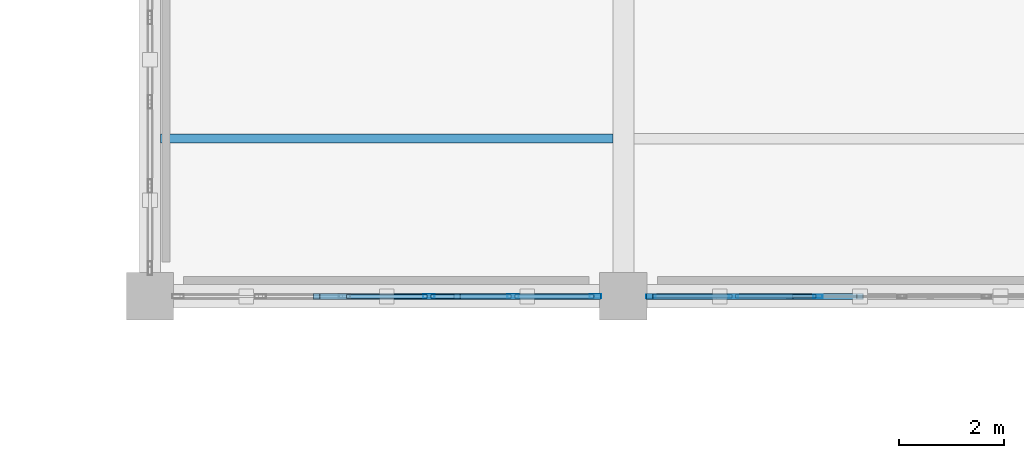
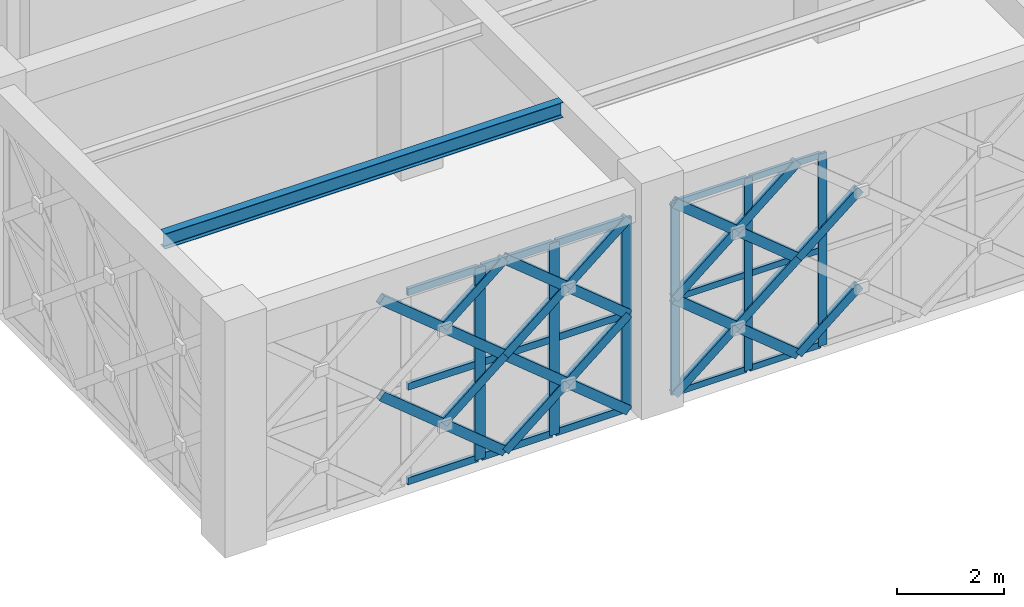
# One storey, part 46 of 166: 39 members, 1 beam, 2 elements without a shape of their own.
"""IFC4 building model written with IfcOpenShell, lengths in metres."""

from ifc_helpers import new_model, si_unit, direction, frame, origin, origin_2d, place, context, subcontext, project, spatial, hollow_rectangle, i_section, extrude, material, material_profile, profile_set, type_object, element, aggregate, save


model = new_model("IFC4")

# Units and contexts
model_context = context("Model", 3, precision=1e-05, world=origin(), true_north=direction((0.0, 1.0)))
body_context = subcontext(model_context, "Body", "Model", "MODEL_VIEW")
ifc_project = project(units=[si_unit("LENGTHUNIT", "METRE"), si_unit("AREAUNIT", "SQUARE_METRE"), si_unit("VOLUMEUNIT", "CUBIC_METRE"), si_unit("PLANEANGLEUNIT", "RADIAN"), si_unit("MASSUNIT", "GRAM", prefix="KILO")], contexts=[model_context])

# Site, building, storey
site_placement = place(None, origin())
site = spatial("IfcSite", under=ifc_project, at=site_placement, CompositionType="ELEMENT")
building_placement = place(site_placement, origin())
building = spatial("IfcBuilding", under=site, at=building_placement, Name="Haizhuo Lancet Aquarium", CompositionType="ELEMENT")
storey_placement = place(building_placement, frame((0.0, 0.0, 5.39990234375)))
storey = spatial("IfcBuildingStorey", under=building, at=storey_placement, Name="L01", CompositionType="ELEMENT", Elevation=5.39990234375)

# Curtain wall, members
ifc_material_1 = material(Name="Aluminium 6063-T6", Category="aluminium")
curtain_wall_type = type_object("IfcCurtainWallType", Name="CWO-8010x4390", PredefinedType="NOTDEFINED", material=ifc_material_1)
curtain_wall_1_placement = place(storey_placement, origin())
curtain_wall_1 = element("IfcCurtainWall", 1, at=curtain_wall_1_placement, inside=storey, type_object=curtain_wall_type, Name="L01 curtain wall CW-V3-L01-046", PredefinedType="NOTDEFINED")
ifc_material_profile_1 = material_profile(ifc_material_1, hollow_rectangle(XDim=0.06494140625, YDim=0.179931640625, WallThickness=0.00390625, at=origin_2d()), Name="ALU-M 65x180x4")
ifc_profile_set_1 = profile_set([ifc_material_profile_1], Name="Aluminium 6063-T6")
member_type_1 = type_object("IfcMemberType", Name="CW-MUL-1", PredefinedType="MULLION", material=ifc_profile_set_1)
member_1_placement = place(storey_placement, frame((39.698974609375, -36.0, 0.0), z_axis=(0.0, 0.0, 1.0), x_axis=(0.0, -1.0, 0.0)))
member_1 = element("IfcMember", 2, at=member_1_placement, type_object=member_type_1, Name="CWO-80x43 mullion 4", PredefinedType="MULLION", context=body_context, shape_type="SweptSolid", body=[
    extrude(hollow_rectangle(XDim=0.06494140625, YDim=0.179931640625, WallThickness=0.00390625, at=origin_2d()), origin(), (0.0, 0.0, 1.0), 4.39013671875),
])
member_2_placement = place(storey_placement, frame((38.096923828125, -36.0, 0.0), z_axis=(0.0, 0.0, 1.0), x_axis=(0.0, -1.0, 0.0)))
member_2 = element("IfcMember", 3, at=member_2_placement, type_object=member_type_1, Name="CWO-80x43 mullion 5", PredefinedType="MULLION", context=body_context, shape_type="SweptSolid", body=[
    extrude(hollow_rectangle(XDim=0.06494140625, YDim=0.179931640625, WallThickness=0.00390625, at=origin_2d()), origin(), (0.0, 0.0, 1.0), 4.39013671875),
])
member_3_placement = place(storey_placement, frame((36.527099609375, -36.0, 0.0), z_axis=(0.0, 0.0, 1.0), x_axis=(0.0, -1.0, 0.0)))
member_3 = element("IfcMember", 4, at=member_3_placement, type_object=member_type_1, Name="CWO-80x43 mullion 6", PredefinedType="MULLION", context=body_context, shape_type="SweptSolid", body=[
    extrude(hollow_rectangle(XDim=0.06494140625, YDim=0.179931640625, WallThickness=0.00390625, at=origin_2d()), origin(), (0.0, 0.0, 1.0), 4.39013671875),
])

curtain_wall_2_placement = place(storey_placement, origin())
curtain_wall_2 = element("IfcCurtainWall", 5, at=curtain_wall_2_placement, inside=storey, type_object=curtain_wall_type, Name="L01 curtain wall CW-V3-L01-047", PredefinedType="NOTDEFINED")
ifc_material_profile_2 = material_profile(ifc_material_1, hollow_rectangle(XDim=0.074951171875, YDim=0.219970703125, WallThickness=0.0048828125, at=origin_2d()), Name="ALU-M 75x220x5")
ifc_profile_set_2 = profile_set([ifc_material_profile_2], Name="Aluminium 6063-T6")
member_type_2 = type_object("IfcMemberType", Name="CW-MUL-2", PredefinedType="MULLION", material=ifc_profile_set_2)
member_4_placement = place(storey_placement, frame((35.468017578125, -36.0, 0.0), z_axis=(0.0, 0.0, 1.0), x_axis=(0.0, -1.0, 0.0)))
member_4 = element("IfcMember", 6, at=member_4_placement, type_object=member_type_2, Name="CWO-80x43 mullion 1", PredefinedType="MULLION", context=body_context, shape_type="SweptSolid", body=[
    extrude(hollow_rectangle(XDim=0.074951171875, YDim=0.219970703125, WallThickness=0.0048828125, at=origin_2d()), origin(), (0.0, 0.0, 1.0), 4.39013671875),
])
member_5_placement = place(storey_placement, frame((33.903076171875, -36.0, 0.0), z_axis=(0.0, 0.0, 1.0), x_axis=(0.0, -1.0, 0.0)))
member_5 = element("IfcMember", 7, at=member_5_placement, type_object=member_type_2, Name="CWO-80x43 mullion 2", PredefinedType="MULLION", context=body_context, shape_type="SweptSolid", body=[
    extrude(hollow_rectangle(XDim=0.074951171875, YDim=0.219970703125, WallThickness=0.0048828125, at=origin_2d()), origin(), (0.0, 0.0, 1.0), 4.39013671875),
])
member_6_placement = place(storey_placement, frame((32.301025390625, -36.0, 0.0), z_axis=(0.0, 0.0, 1.0), x_axis=(0.0, -1.0, 0.0)))
member_6 = element("IfcMember", 8, at=member_6_placement, type_object=member_type_2, Name="CWO-80x43 mullion 3", PredefinedType="MULLION", context=body_context, shape_type="SweptSolid", body=[
    extrude(hollow_rectangle(XDim=0.074951171875, YDim=0.219970703125, WallThickness=0.0048828125, at=origin_2d()), origin(), (0.0, 0.0, 1.0), 4.39013671875),
])

# Member
ifc_material_profile_3 = material_profile(ifc_material_1, hollow_rectangle(XDim=0.06494140625, YDim=0.139892578125, WallThickness=0.00390625, at=origin_2d()), Name="ALU-T 65x140x4")
ifc_profile_set_3 = profile_set([ifc_material_profile_3], Name="Aluminium 6063-T6")
member_type_3 = type_object("IfcMemberType", Name="CW-TRN-1", PredefinedType="NOTDEFINED", material=ifc_profile_set_3)
member_7_placement = place(storey_placement, frame((39.666015625, -36.0, 0.033203125), z_axis=(-1.0, 0.0, 0.0), x_axis=(0.0, -1.0, 0.0)))
member_7 = element("IfcMember", 9, at=member_7_placement, type_object=member_type_3, Name="CWO-80x43 transom 4.1", ObjectType="TRANSOM", PredefinedType="USERDEFINED", context=body_context, shape_type="SweptSolid", body=[
    extrude(hollow_rectangle(XDim=0.06494140625, YDim=0.139892578125, WallThickness=0.00390625, at=origin_2d()), origin(), (0.0, 0.0, 1.0), 1.5361328125),
])

member_8_placement = place(storey_placement, frame((39.666015625, -36.0, 2.195068359375), z_axis=(-1.0, 0.0, 0.0), x_axis=(0.0, -1.0, 0.0)))
member_8 = element("IfcMember", 10, at=member_8_placement, type_object=member_type_3, Name="CWO-80x43 transom 4.2", ObjectType="TRANSOM", PredefinedType="USERDEFINED", context=body_context, shape_type="SweptSolid", body=[
    extrude(hollow_rectangle(XDim=0.06494140625, YDim=0.139892578125, WallThickness=0.00390625, at=origin_2d()), origin(), (0.0, 0.0, 1.0), 1.5361328125),
])

member_9_placement = place(storey_placement, frame((39.666015625, -36.0, 4.357177734375), z_axis=(-1.0, 0.0, 0.0), x_axis=(0.0, -1.0, 0.0)))
member_9 = element("IfcMember", 11, at=member_9_placement, type_object=member_type_3, Name="CWO-80x43 transom 4.3", ObjectType="TRANSOM", PredefinedType="USERDEFINED", context=body_context, shape_type="SweptSolid", body=[
    extrude(hollow_rectangle(XDim=0.06494140625, YDim=0.139892578125, WallThickness=0.00390625, at=origin_2d()), origin(), (0.0, 0.0, 1.0), 1.5361328125),
])

member_10_placement = place(storey_placement, frame((38.06396484375, -36.0, 0.033203125), z_axis=(-1.0, 0.0, 0.0), x_axis=(0.0, -1.0, 0.0)))
member_10 = element("IfcMember", 12, at=member_10_placement, type_object=member_type_3, Name="CWO-80x43 transom 5.1", ObjectType="TRANSOM", PredefinedType="USERDEFINED", context=body_context, shape_type="SweptSolid", body=[
    extrude(hollow_rectangle(XDim=0.06494140625, YDim=0.139892578125, WallThickness=0.00390625, at=origin_2d()), origin(), (0.0, 0.0, 1.0), 1.50390625),
])

member_11_placement = place(storey_placement, frame((38.06396484375, -36.0, 2.195068359375), z_axis=(-1.0, 0.0, 0.0), x_axis=(0.0, -1.0, 0.0)))
member_11 = element("IfcMember", 13, at=member_11_placement, type_object=member_type_3, Name="CWO-80x43 transom 5.2", ObjectType="TRANSOM", PredefinedType="USERDEFINED", context=body_context, shape_type="SweptSolid", body=[
    extrude(hollow_rectangle(XDim=0.06494140625, YDim=0.139892578125, WallThickness=0.00390625, at=origin_2d()), origin(), (0.0, 0.0, 1.0), 1.50390625),
])

member_12_placement = place(storey_placement, frame((38.06396484375, -36.0, 4.357177734375), z_axis=(-1.0, 0.0, 0.0), x_axis=(0.0, -1.0, 0.0)))
member_12 = element("IfcMember", 14, at=member_12_placement, type_object=member_type_3, Name="CWO-80x43 transom 5.3", ObjectType="TRANSOM", PredefinedType="USERDEFINED", context=body_context, shape_type="SweptSolid", body=[
    extrude(hollow_rectangle(XDim=0.06494140625, YDim=0.139892578125, WallThickness=0.00390625, at=origin_2d()), origin(), (0.0, 0.0, 1.0), 1.50390625),
])

aggregate(curtain_wall_1, [member_1, member_2, member_3, member_7, member_8, member_9, member_10, member_11, member_12])

ifc_material_profile_4 = material_profile(ifc_material_1, hollow_rectangle(XDim=0.074951171875, YDim=0.159912109375, WallThickness=0.00390625, at=origin_2d()), Name="ALU-T 75x160x4")
ifc_profile_set_4 = profile_set([ifc_material_profile_4], Name="Aluminium 6063-T6")
member_type_4 = type_object("IfcMemberType", Name="CW-TRN-2", PredefinedType="NOTDEFINED", material=ifc_profile_set_4)
member_13_placement = place(storey_placement, frame((35.429931640625, -36.0, 0.0380859375), z_axis=(-1.0, 0.0, 0.0), x_axis=(0.0, -1.0, 0.0)))
member_13 = element("IfcMember", 15, at=member_13_placement, type_object=member_type_4, Name="CWO-80x43 transom 1.1", ObjectType="TRANSOM", PredefinedType="USERDEFINED", context=body_context, shape_type="SweptSolid", body=[
    extrude(hollow_rectangle(XDim=0.074951171875, YDim=0.159912109375, WallThickness=0.00390625, at=origin_2d()), origin(), (0.0, 0.0, 1.0), 1.489013671875),
])

member_14_placement = place(storey_placement, frame((35.429931640625, -36.0, 2.195068359375), z_axis=(-1.0, 0.0, 0.0), x_axis=(0.0, -1.0, 0.0)))
member_14 = element("IfcMember", 16, at=member_14_placement, type_object=member_type_4, Name="CWO-80x43 transom 1.2", ObjectType="TRANSOM", PredefinedType="USERDEFINED", context=body_context, shape_type="SweptSolid", body=[
    extrude(hollow_rectangle(XDim=0.074951171875, YDim=0.159912109375, WallThickness=0.00390625, at=origin_2d()), origin(), (0.0, 0.0, 1.0), 1.489013671875),
])

member_15_placement = place(storey_placement, frame((35.429931640625, -36.0, 4.35205078125), z_axis=(-1.0, 0.0, 0.0), x_axis=(0.0, -1.0, 0.0)))
member_15 = element("IfcMember", 17, at=member_15_placement, type_object=member_type_4, Name="CWO-80x43 transom 1.3", ObjectType="TRANSOM", PredefinedType="USERDEFINED", context=body_context, shape_type="SweptSolid", body=[
    extrude(hollow_rectangle(XDim=0.074951171875, YDim=0.159912109375, WallThickness=0.00390625, at=origin_2d()), origin(), (0.0, 0.0, 1.0), 1.489013671875),
])

member_16_placement = place(storey_placement, frame((33.865966796875, -36.0, 0.0380859375), z_axis=(-1.0, 0.0, 0.0), x_axis=(0.0, -1.0, 0.0)))
member_16 = element("IfcMember", 18, at=member_16_placement, type_object=member_type_4, Name="CWO-80x43 transom 2.1", ObjectType="TRANSOM", PredefinedType="USERDEFINED", context=body_context, shape_type="SweptSolid", body=[
    extrude(hollow_rectangle(XDim=0.074951171875, YDim=0.159912109375, WallThickness=0.00390625, at=origin_2d()), origin(), (0.0, 0.0, 1.0), 1.52685546875),
])

member_17_placement = place(storey_placement, frame((33.865966796875, -36.0, 2.195068359375), z_axis=(-1.0, 0.0, 0.0), x_axis=(0.0, -1.0, 0.0)))
member_17 = element("IfcMember", 19, at=member_17_placement, type_object=member_type_4, Name="CWO-80x43 transom 2.2", ObjectType="TRANSOM", PredefinedType="USERDEFINED", context=body_context, shape_type="SweptSolid", body=[
    extrude(hollow_rectangle(XDim=0.074951171875, YDim=0.159912109375, WallThickness=0.00390625, at=origin_2d()), origin(), (0.0, 0.0, 1.0), 1.52685546875),
])

member_18_placement = place(storey_placement, frame((33.865966796875, -36.0, 4.35205078125), z_axis=(-1.0, 0.0, 0.0), x_axis=(0.0, -1.0, 0.0)))
member_18 = element("IfcMember", 20, at=member_18_placement, type_object=member_type_4, Name="CWO-80x43 transom 2.3", ObjectType="TRANSOM", PredefinedType="USERDEFINED", context=body_context, shape_type="SweptSolid", body=[
    extrude(hollow_rectangle(XDim=0.074951171875, YDim=0.159912109375, WallThickness=0.00390625, at=origin_2d()), origin(), (0.0, 0.0, 1.0), 1.52685546875),
])

member_19_placement = place(storey_placement, frame((32.263916015625, -36.0, 0.0380859375), z_axis=(-1.0, 0.0, 0.0), x_axis=(0.0, -1.0, 0.0)))
member_19 = element("IfcMember", 21, at=member_19_placement, type_object=member_type_4, Name="CWO-80x43 transom 3.1", ObjectType="TRANSOM", PredefinedType="USERDEFINED", context=body_context, shape_type="SweptSolid", body=[
    extrude(hollow_rectangle(XDim=0.074951171875, YDim=0.159912109375, WallThickness=0.00390625, at=origin_2d()), origin(), (0.0, 0.0, 1.0), 1.52783203125),
])

member_20_placement = place(storey_placement, frame((32.263916015625, -36.0, 2.195068359375), z_axis=(-1.0, 0.0, 0.0), x_axis=(0.0, -1.0, 0.0)))
member_20 = element("IfcMember", 22, at=member_20_placement, type_object=member_type_4, Name="CWO-80x43 transom 3.2", ObjectType="TRANSOM", PredefinedType="USERDEFINED", context=body_context, shape_type="SweptSolid", body=[
    extrude(hollow_rectangle(XDim=0.074951171875, YDim=0.159912109375, WallThickness=0.00390625, at=origin_2d()), origin(), (0.0, 0.0, 1.0), 1.52783203125),
])

member_21_placement = place(storey_placement, frame((32.263916015625, -36.0, 4.35205078125), z_axis=(-1.0, 0.0, 0.0), x_axis=(0.0, -1.0, 0.0)))
member_21 = element("IfcMember", 23, at=member_21_placement, type_object=member_type_4, Name="CWO-80x43 transom 3.3", ObjectType="TRANSOM", PredefinedType="USERDEFINED", context=body_context, shape_type="SweptSolid", body=[
    extrude(hollow_rectangle(XDim=0.074951171875, YDim=0.159912109375, WallThickness=0.00390625, at=origin_2d()), origin(), (0.0, 0.0, 1.0), 1.52783203125),
])

aggregate(curtain_wall_2, [member_4, member_5, member_6, member_13, member_14, member_15, member_16, member_17, member_18, member_19, member_20, member_21])

# Beam
ifc_material_2 = material(Name="Steel S355", Category="steel")
ifc_material_profile_5 = material_profile(ifc_material_2, i_section(OverallWidth=0.175048828125, OverallDepth=0.35009765625, WebThickness=0.007080078125, FlangeThickness=0.010986328125, FilletRadius=0.013916015625, at=origin_2d()), Name="HN 350x175x7x11")
ifc_profile_set_5 = profile_set([ifc_material_profile_5], Name="Steel S355")
beam_type = type_object("IfcBeamType", Name="JST-ST-HN350", PredefinedType="JOIST", material=ifc_profile_set_5)
beam_placement = place(storey_placement, frame((27.199951171875, -33.0, 4.965087890625), z_axis=(1.0, 0.0, 0.0), x_axis=(0.0, 1.0, 0.0)))
element("IfcBeam", 24, at=beam_placement, inside=storey, type_object=beam_type, Name="L01 V3 secondary floor joist 1", PredefinedType="JOIST", context=body_context, shape_type="SweptSolid", body=[
    extrude(i_section(OverallWidth=0.175048828125, OverallDepth=0.35009765625, WebThickness=0.007080078125, FlangeThickness=0.010986328125, FilletRadius=0.013916015625, at=origin_2d()), origin(), (0.0, 0.0, 1.0), 8.60009765625),
])

# Members
ifc_material_profile_6 = material_profile(ifc_material_2, hollow_rectangle(XDim=0.1201171875, YDim=0.199951171875, WallThickness=0.008056640625, at=origin_2d()), Name="RHS 120x200x8")
ifc_profile_set_6 = profile_set([ifc_material_profile_6], Name="Steel S355")
member_type_5 = type_object("IfcMemberType", Name="MEM-LB-RHS120x200", PredefinedType="BRACE", material=ifc_profile_set_6)
member_22_placement = place(storey_placement, frame((39.1650390625, -36.0, 0.0), z_axis=(0.772280733977, 0.0, 0.635281408454), x_axis=(0.0, 1.0, 0.0)))
element("IfcMember", 25, at=member_22_placement, inside=storey, type_object=member_type_5, Name="Gothic lancet split diagonal brace CW-V3-L01-046 3B1", PredefinedType="BRACE", context=body_context, shape_type="SweptSolid", body=[
    extrude(hollow_rectangle(XDim=0.1201171875, YDim=0.199951171875, WallThickness=0.008056640625, at=origin_2d()), origin(), (0.0, 0.0, 1.0), 1.728515625),
])
member_23_placement = place(storey_placement, frame((39.1650390625, -36.0, 2.195068359375), z_axis=(0.772627238419, 0.0, 0.634859945541), x_axis=(0.0, 1.0, 0.0)))
element("IfcMember", 26, at=member_23_placement, inside=storey, type_object=member_type_5, Name="Gothic lancet split diagonal brace CW-V3-L01-046 4B1", PredefinedType="BRACE", context=body_context, shape_type="SweptSolid", body=[
    extrude(hollow_rectangle(XDim=0.1201171875, YDim=0.199951171875, WallThickness=0.008056640625, at=origin_2d()), origin(), (0.0, 0.0, 1.0), 1.727783203125),
])
member_24_placement = place(storey_placement, frame((39.1650390625, -36.0, 0.0), z_axis=(-0.772453976084, 0.0, 0.635070747895), x_axis=(0.0, -1.0, 0.0)))
element("IfcMember", 27, at=member_24_placement, inside=storey, type_object=member_type_5, Name="Gothic lancet continuous diagonal brace CW-V3-L01-046 5A", PredefinedType="BRACE", context=body_context, shape_type="SweptSolid", body=[
    extrude(hollow_rectangle(XDim=0.1201171875, YDim=0.199951171875, WallThickness=0.008056640625, at=origin_2d()), origin(), (0.0, 0.0, 1.0), 3.456298828125),
])
member_25_placement = place(storey_placement, frame((36.4951171875, -36.0, 0.0), z_axis=(0.772280733977, 0.0, 0.635281408454), x_axis=(0.0, 1.0, 0.0)))
element("IfcMember", 28, at=member_25_placement, inside=storey, type_object=member_type_5, Name="Gothic lancet split diagonal brace CW-V3-L01-046 5B1", PredefinedType="BRACE", context=body_context, shape_type="SweptSolid", body=[
    extrude(hollow_rectangle(XDim=0.1201171875, YDim=0.199951171875, WallThickness=0.008056640625, at=origin_2d()), origin(), (0.0, 0.0, 1.0), 1.728515625),
])
member_26_placement = place(storey_placement, frame((37.830078125, -36.0, 1.09814453125), z_axis=(0.772627238419, 0.0, 0.634859945541), x_axis=(0.0, 1.0, 0.0)))
element("IfcMember", 29, at=member_26_placement, inside=storey, type_object=member_type_5, Name="Gothic lancet split diagonal brace CW-V3-L01-046 5B2", PredefinedType="BRACE", context=body_context, shape_type="SweptSolid", body=[
    extrude(hollow_rectangle(XDim=0.1201171875, YDim=0.199951171875, WallThickness=0.008056640625, at=origin_2d()), origin(), (0.0, 0.0, 1.0), 1.727783203125),
])
member_27_placement = place(storey_placement, frame((39.1650390625, -36.0, 2.195068359375), z_axis=(-0.772453976084, 0.0, 0.635070747895), x_axis=(0.0, -1.0, 0.0)))
element("IfcMember", 30, at=member_27_placement, inside=storey, type_object=member_type_5, Name="Gothic lancet continuous diagonal brace CW-V3-L01-046 6A", PredefinedType="BRACE", context=body_context, shape_type="SweptSolid", body=[
    extrude(hollow_rectangle(XDim=0.1201171875, YDim=0.199951171875, WallThickness=0.008056640625, at=origin_2d()), origin(), (0.0, 0.0, 1.0), 3.456298828125),
])
member_28_placement = place(storey_placement, frame((36.4951171875, -36.0, 2.195068359375), z_axis=(0.772627238419, 0.0, 0.634859945541), x_axis=(0.0, 1.0, 0.0)))
element("IfcMember", 31, at=member_28_placement, inside=storey, type_object=member_type_5, Name="Gothic lancet split diagonal brace CW-V3-L01-046 6B1", PredefinedType="BRACE", context=body_context, shape_type="SweptSolid", body=[
    extrude(hollow_rectangle(XDim=0.1201171875, YDim=0.199951171875, WallThickness=0.008056640625, at=origin_2d()), origin(), (0.0, 0.0, 1.0), 1.727783203125),
])
member_29_placement = place(storey_placement, frame((37.830078125, -36.0, 3.2919921875), z_axis=(0.772280733977, 0.0, 0.635281408454), x_axis=(0.0, 1.0, 0.0)))
element("IfcMember", 32, at=member_29_placement, inside=storey, type_object=member_type_5, Name="Gothic lancet split diagonal brace CW-V3-L01-046 6B2", PredefinedType="BRACE", context=body_context, shape_type="SweptSolid", body=[
    extrude(hollow_rectangle(XDim=0.1201171875, YDim=0.199951171875, WallThickness=0.008056640625, at=origin_2d()), origin(), (0.0, 0.0, 1.0), 1.728515625),
])
member_30_placement = place(storey_placement, frame((35.5048828125, -36.0, 0.0), z_axis=(-0.772453976084, 0.0, 0.635070747895), x_axis=(0.0, -1.0, 0.0)))
element("IfcMember", 33, at=member_30_placement, inside=storey, type_object=member_type_5, Name="Gothic lancet continuous diagonal brace CW-V3-L01-047 1A", PredefinedType="BRACE", context=body_context, shape_type="SweptSolid", body=[
    extrude(hollow_rectangle(XDim=0.1201171875, YDim=0.199951171875, WallThickness=0.008056640625, at=origin_2d()), origin(), (0.0, 0.0, 1.0), 3.456298828125),
])
member_31_placement = place(storey_placement, frame((32.8349609375, -36.0, 0.0), z_axis=(0.772280733977, 0.0, 0.635281408454), x_axis=(0.0, 1.0, 0.0)))
element("IfcMember", 34, at=member_31_placement, inside=storey, type_object=member_type_5, Name="Gothic lancet split diagonal brace CW-V3-L01-047 1B1", PredefinedType="BRACE", context=body_context, shape_type="SweptSolid", body=[
    extrude(hollow_rectangle(XDim=0.1201171875, YDim=0.199951171875, WallThickness=0.008056640625, at=origin_2d()), origin(), (0.0, 0.0, 1.0), 1.728515625),
])
member_32_placement = place(storey_placement, frame((34.169921875, -36.0, 1.09814453125), z_axis=(0.772627238419, 0.0, 0.634859945541), x_axis=(0.0, 1.0, 0.0)))
element("IfcMember", 35, at=member_32_placement, inside=storey, type_object=member_type_5, Name="Gothic lancet split diagonal brace CW-V3-L01-047 1B2", PredefinedType="BRACE", context=body_context, shape_type="SweptSolid", body=[
    extrude(hollow_rectangle(XDim=0.1201171875, YDim=0.199951171875, WallThickness=0.008056640625, at=origin_2d()), origin(), (0.0, 0.0, 1.0), 1.727783203125),
])
member_33_placement = place(storey_placement, frame((35.5048828125, -36.0, 2.195068359375), z_axis=(-0.772453976084, 0.0, 0.635070747895), x_axis=(0.0, -1.0, 0.0)))
element("IfcMember", 36, at=member_33_placement, inside=storey, type_object=member_type_5, Name="Gothic lancet continuous diagonal brace CW-V3-L01-047 2A", PredefinedType="BRACE", context=body_context, shape_type="SweptSolid", body=[
    extrude(hollow_rectangle(XDim=0.1201171875, YDim=0.199951171875, WallThickness=0.008056640625, at=origin_2d()), origin(), (0.0, 0.0, 1.0), 3.456298828125),
])
member_34_placement = place(storey_placement, frame((32.8349609375, -36.0, 2.195068359375), z_axis=(0.772627238419, 0.0, 0.634859945541), x_axis=(0.0, 1.0, 0.0)))
element("IfcMember", 37, at=member_34_placement, inside=storey, type_object=member_type_5, Name="Gothic lancet split diagonal brace CW-V3-L01-047 2B1", PredefinedType="BRACE", context=body_context, shape_type="SweptSolid", body=[
    extrude(hollow_rectangle(XDim=0.1201171875, YDim=0.199951171875, WallThickness=0.008056640625, at=origin_2d()), origin(), (0.0, 0.0, 1.0), 1.727783203125),
])
member_35_placement = place(storey_placement, frame((34.169921875, -36.0, 3.2919921875), z_axis=(0.772280733977, 0.0, 0.635281408454), x_axis=(0.0, 1.0, 0.0)))
element("IfcMember", 38, at=member_35_placement, inside=storey, type_object=member_type_5, Name="Gothic lancet split diagonal brace CW-V3-L01-047 2B2", PredefinedType="BRACE", context=body_context, shape_type="SweptSolid", body=[
    extrude(hollow_rectangle(XDim=0.1201171875, YDim=0.199951171875, WallThickness=0.008056640625, at=origin_2d()), origin(), (0.0, 0.0, 1.0), 1.728515625),
])
member_36_placement = place(storey_placement, frame((32.8349609375, -36.0, 0.0), z_axis=(-0.772453976084, 0.0, 0.635070747895), x_axis=(0.0, -1.0, 0.0)))
element("IfcMember", 39, at=member_36_placement, inside=storey, type_object=member_type_5, Name="Gothic lancet continuous diagonal brace CW-V3-L01-047 3A", PredefinedType="BRACE", context=body_context, shape_type="SweptSolid", body=[
    extrude(hollow_rectangle(XDim=0.1201171875, YDim=0.199951171875, WallThickness=0.008056640625, at=origin_2d()), origin(), (0.0, 0.0, 1.0), 3.456298828125),
])
member_37_placement = place(storey_placement, frame((31.5, -36.0, 1.09814453125), z_axis=(0.772627238419, 0.0, 0.634859945541), x_axis=(0.0, 1.0, 0.0)))
element("IfcMember", 40, at=member_37_placement, inside=storey, type_object=member_type_5, Name="Gothic lancet split diagonal brace CW-V3-L01-047 3B2", PredefinedType="BRACE", context=body_context, shape_type="SweptSolid", body=[
    extrude(hollow_rectangle(XDim=0.1201171875, YDim=0.199951171875, WallThickness=0.008056640625, at=origin_2d()), origin(), (0.0, 0.0, 1.0), 1.727783203125),
])
member_38_placement = place(storey_placement, frame((32.8349609375, -36.0, 2.195068359375), z_axis=(-0.772453976084, 0.0, 0.635070747895), x_axis=(0.0, -1.0, 0.0)))
element("IfcMember", 41, at=member_38_placement, inside=storey, type_object=member_type_5, Name="Gothic lancet continuous diagonal brace CW-V3-L01-047 4A", PredefinedType="BRACE", context=body_context, shape_type="SweptSolid", body=[
    extrude(hollow_rectangle(XDim=0.1201171875, YDim=0.199951171875, WallThickness=0.008056640625, at=origin_2d()), origin(), (0.0, 0.0, 1.0), 3.456298828125),
])
member_39_placement = place(storey_placement, frame((31.5, -36.0, 3.2919921875), z_axis=(0.772280733977, 0.0, 0.635281408454), x_axis=(0.0, 1.0, 0.0)))
element("IfcMember", 42, at=member_39_placement, inside=storey, type_object=member_type_5, Name="Gothic lancet split diagonal brace CW-V3-L01-047 4B2", PredefinedType="BRACE", context=body_context, shape_type="SweptSolid", body=[
    extrude(hollow_rectangle(XDim=0.1201171875, YDim=0.199951171875, WallThickness=0.008056640625, at=origin_2d()), origin(), (0.0, 0.0, 1.0), 1.728515625),
])

save(model, "model.ifc")
